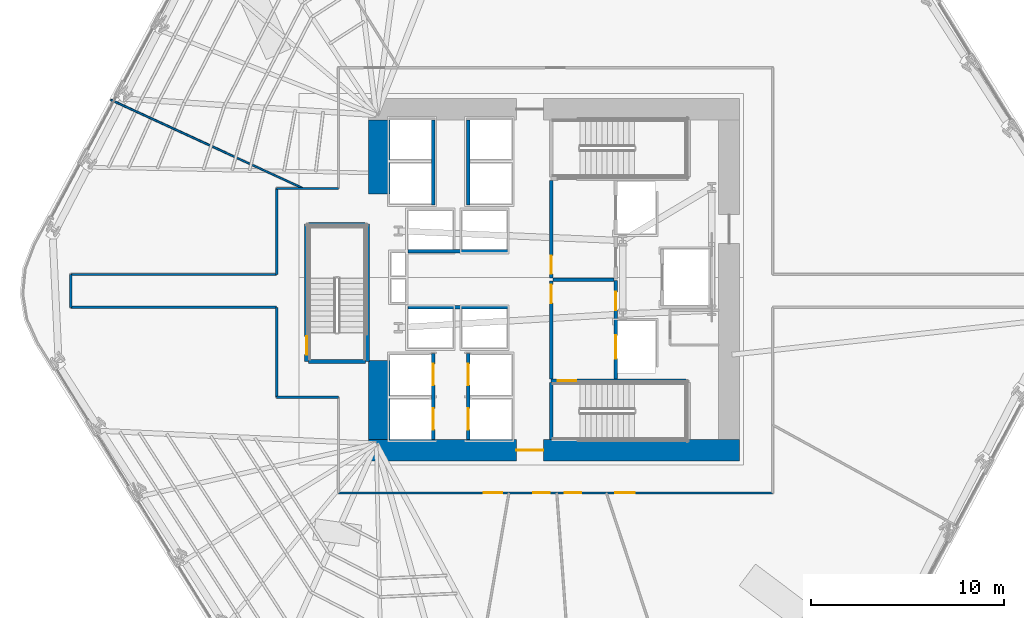
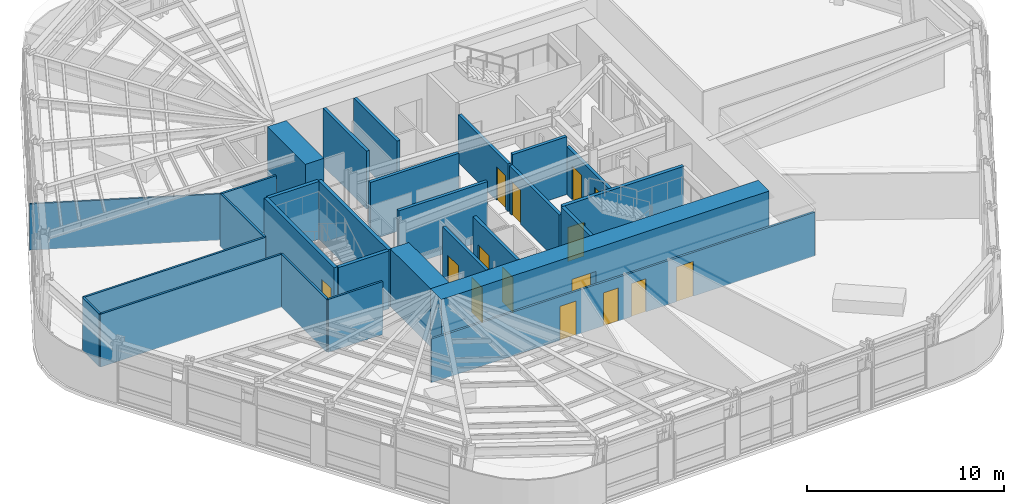
# One storey, part 8 of 15: 28 walls, 15 doors, 15 openings.
"""IFC4 building model written with IfcOpenShell, lengths in metres."""

from ifc_helpers import new_model, si_unit, direction, frame, frame_2d, origin, place, context, subcontext, project, spatial, rectangle, extrude, material, layer, layer_set, type_object, element, fill, save


model = new_model("IFC4")

# Units and contexts
model_context = context("Model", 3, precision=1e-05, world=origin(), true_north=direction((0.0, 1.0)))
body_context = subcontext(model_context, "Body", "Model", "MODEL_VIEW")
ifc_project = project(units=[si_unit("LENGTHUNIT", "METRE"), si_unit("AREAUNIT", "SQUARE_METRE"), si_unit("VOLUMEUNIT", "CUBIC_METRE"), si_unit("PLANEANGLEUNIT", "RADIAN"), si_unit("MASSUNIT", "GRAM", prefix="KILO")], contexts=[model_context])

# Site, building, storey
site_placement = place(None, origin())
site = spatial("IfcSite", under=ifc_project, at=site_placement, CompositionType="ELEMENT")
building_placement = place(site_placement, origin())
building = spatial("IfcBuilding", under=site, at=building_placement, Name="Valkerne Bourse Tower", CompositionType="ELEMENT")
storey_placement = place(building_placement, frame((0.0, 0.0, 31.60009765625)))
storey = spatial("IfcBuildingStorey", under=building, at=storey_placement, Name="L07", CompositionType="ELEMENT", Elevation=31.60009765625)

# Wall, opening, door
ifc_material_1 = material(Name="Concrete C70/85", Category="concrete")
ifc_layer_1 = layer(ifc_material_1, 1.10009765625)
ifc_layer_set_1 = layer_set([ifc_layer_1], Name="Concrete C70/85")
wall_type_1 = type_object("IfcWallType", Name="W-CORE-1100", PredefinedType="SHEAR", material=ifc_layer_set_1)
wall_1_placement = place(storey_placement, frame((37.199951171875, 18.050048828125, 0.0), z_axis=(0.0, 0.0, 1.0), x_axis=(1.0, 0.0, 0.0)))
wall_1 = element("IfcWall", 1, at=wall_1_placement, inside=storey, type_object=wall_type_1, Name="L07 Core Shear Wall SOUTH", PredefinedType="SHEAR", context=body_context, shape_type="SweptSolid", body=[
    extrude(rectangle(XDim=19.199951171875, YDim=1.10009765625, at=frame_2d((9.60009765625, 0.0))), origin(), (0.0, 0.0, 1.0), 3.579833984375),
])
opening_1_placement = place(wall_1_placement, frame((7.64990234375, 0.0, 0.0)))
opening_1 = element("IfcOpeningElement", 2, at=opening_1_placement, cuts=wall_1, Name="Opening D-PL-1400", PredefinedType="OPENING", context=body_context, shape_type="SweptSolid", body=[
    extrude(rectangle(XDim=1.39990234375, YDim=2.14990234375, at=frame_2d((0.699951171875, 1.074951171875))), frame((0.0, 0.56005859375, 0.0), z_axis=(0.0, -1.0, 0.0), x_axis=(1.0, 0.0, 0.0)), (0.0, 0.0, 1.0), 1.1201171875),
])
ifc_material_2 = material(Name="Galvanised Painted Steel", Category="steel")
door_type_1 = type_object("IfcDoorType", Name="DR-PLT-1400", OperationType="DOUBLE_DOOR_SINGLE_SWING", PredefinedType="DOOR", material=ifc_material_2)
door_1_placement = place(opening_1_placement, origin())
door_1 = element("IfcDoor", 3, at=door_1_placement, inside=storey, type_object=door_type_1, Name="L07 South Passenger Lift Hall Fire Door", OperationType="DOUBLE_DOOR_SINGLE_SWING", OverallHeight=2.14990234375, OverallWidth=1.39990234375, PredefinedType="DOOR", context=body_context, shape_type="SweptSolid", body=[
    extrude(rectangle(XDim=1.39990234375, YDim=2.14990234375, at=frame_2d((0.699951171875, 1.074951171875))), frame((0.0, 0.02490234375, 0.0), z_axis=(0.0, -1.0, 0.0), x_axis=(1.0, 0.0, 0.0)), (0.0, 0.0, 1.0), 0.050048828125),
])
fill(opening_1, door_1)

# Walls
wall_2_placement = place(storey_placement, frame((37.75, 18.60009765625, 0.0), z_axis=(0.0, 0.0, 1.0), x_axis=(0.0, 1.0, 0.0)))
element("IfcWall", 4, at=wall_2_placement, inside=storey, type_object=wall_type_1, Name="L07 Core Shear Wall WEST-S", PredefinedType="SHEAR", context=body_context, shape_type="SweptSolid", body=[
    extrude(rectangle(XDim=4.099853515625, YDim=1.10009765625, at=frame_2d((2.0498046875, 0.0))), origin(), (0.0, 0.0, 1.0), 3.579833984375),
])
wall_3_placement = place(storey_placement, frame((37.75, 31.300048828125, 0.0), z_axis=(0.0, 0.0, 1.0), x_axis=(0.0, 1.0, 0.0)))
element("IfcWall", 5, at=wall_3_placement, inside=storey, type_object=wall_type_1, Name="L07 Core Shear Wall WEST-N", PredefinedType="SHEAR", context=body_context, shape_type="SweptSolid", body=[
    extrude(rectangle(XDim=3.849853515625, YDim=1.10009765625, at=frame_2d((1.9248046875, 0.0))), origin(), (0.0, 0.0, 1.0), 3.579833984375),
])

# Wall, openings, doors
ifc_material_3 = material(Name="Gypsum Board Steel-Stud Partition", Category="steel")
ifc_layer_2 = layer(ifc_material_3, 0.117919921875)
ifc_layer_set_2 = layer_set([ifc_layer_2], Name="Gypsum Board Steel-Stud Partition")
wall_type_2 = type_object("IfcWallType", Name="W-CORR-140", PredefinedType="PARTITIONING", material=ifc_layer_set_2)
wall_4_placement = place(storey_placement, frame((58.10009765625, 15.85009765625, 0.0), z_axis=(0.0, 0.0, 1.0), x_axis=(-1.0, 0.0, 0.0)))
wall_4 = element("IfcWall", 6, at=wall_4_placement, inside=storey, type_object=wall_type_2, Name="L07 Corridor Enclosure Wall", PredefinedType="PARTITIONING", context=body_context, shape_type="SweptSolid", body=[
    extrude(rectangle(XDim=22.4501953125, YDim=0.117919921875, at=frame_2d((11.22509765625, 0.0))), origin(), (0.0, 0.0, 1.0), 2.71142578125),
])
opening_2_placement = place(wall_4_placement, frame((11.514892578125, 0.0, 0.0)))
opening_2 = element("IfcOpeningElement", 7, at=opening_2_placement, cuts=wall_4, Name="Opening D-WC-900", PredefinedType="OPENING", context=body_context, shape_type="SweptSolid", body=[
    extrude(rectangle(XDim=0.860107421875, YDim=2.050048828125, at=frame_2d((0.43017578125, 1.02490234375))), frame((0.0, 0.06884765625, 0.0), z_axis=(0.0, -1.0, 0.0), x_axis=(1.0, 0.0, 0.0)), (0.0, 0.0, 1.0), 0.137939453125),
])
opening_3_placement = place(wall_4_placement, frame((9.89501953125, 0.0, 0.0)))
opening_3 = element("IfcOpeningElement", 8, at=opening_3_placement, cuts=wall_4, Name="Opening D-WC-900", PredefinedType="OPENING", context=body_context, shape_type="SweptSolid", body=[
    extrude(rectangle(XDim=0.860107421875, YDim=2.050048828125, at=frame_2d((0.43017578125, 1.02490234375))), frame((0.0, 0.06884765625, 0.0), z_axis=(0.0, -1.0, 0.0), x_axis=(1.0, 0.0, 0.0)), (0.0, 0.0, 1.0), 0.137939453125),
])
opening_4_placement = place(wall_4_placement, frame((7.125, 0.0, 0.0)))
opening_4 = element("IfcOpeningElement", 9, at=opening_4_placement, cuts=wall_4, Name="Opening D-MG-1000", PredefinedType="OPENING", context=body_context, shape_type="SweptSolid", body=[
    extrude(rectangle(XDim=1.0, YDim=2.14990234375, at=frame_2d((0.5, 1.074951171875))), frame((0.0, 0.06884765625, 0.0), z_axis=(0.0, -1.0, 0.0), x_axis=(1.0, 0.0, 0.0)), (0.0, 0.0, 1.0), 0.137939453125),
])
opening_5_placement = place(wall_4_placement, frame((13.989990234375, 0.0, 0.0)))
opening_5 = element("IfcOpeningElement", 10, at=opening_5_placement, cuts=wall_4, Name="Opening D-OF-950", PredefinedType="OPENING", context=body_context, shape_type="SweptSolid", body=[
    extrude(rectangle(XDim=0.949951171875, YDim=2.10009765625, at=frame_2d((0.47509765625, 1.050048828125))), frame((0.0, 0.06884765625, 0.0), z_axis=(0.0, -1.0, 0.0), x_axis=(1.0, 0.0, 0.0)), (0.0, 0.0, 1.0), 0.137939453125),
])
ifc_material_4 = material(Name="Laminated Tempered Safety Glass", Category="glass")
door_type_2 = type_object("IfcDoorType", Name="DR-MTG-1000", OperationType="NOTDEFINED", PredefinedType="DOOR", material=ifc_material_4)
door_2_placement = place(opening_4_placement, origin())
door_2 = element("IfcDoor", 11, at=door_2_placement, inside=storey, type_object=door_type_2, Name="L07 L07 Client Strategy Conference Room 4 Door", OperationType="SINGLE_SWING_RIGHT", OverallHeight=2.14990234375, OverallWidth=1.0, PredefinedType="DOOR", context=body_context, shape_type="SweptSolid", body=[
    extrude(rectangle(XDim=1.0, YDim=2.14990234375, at=frame_2d((0.5, 1.074951171875))), frame((0.0, 0.02490234375, 0.0), z_axis=(0.0, -1.0, 0.0), x_axis=(1.0, 0.0, 0.0)), (0.0, 0.0, 1.0), 0.050048828125),
])
fill(opening_4, door_2)
ifc_material_5 = material(Name="Architectural White Oak Timber", Category="wood")
door_type_3 = type_object("IfcDoorType", Name="DR-OFF-950", OperationType="NOTDEFINED", PredefinedType="DOOR", material=ifc_material_5)
door_3_placement = place(opening_5_placement, origin())
door_3 = element("IfcDoor", 12, at=door_3_placement, inside=storey, type_object=door_type_3, Name="L07 L07 Member Collaboration Club Salon 5 Door", OperationType="SINGLE_SWING_RIGHT", OverallHeight=2.10009765625, OverallWidth=0.949951171875, PredefinedType="DOOR", context=body_context, shape_type="SweptSolid", body=[
    extrude(rectangle(XDim=0.949951171875, YDim=2.10009765625, at=frame_2d((0.47509765625, 1.050048828125))), frame((0.0, 0.02490234375, 0.0), z_axis=(0.0, -1.0, 0.0), x_axis=(1.0, 0.0, 0.0)), (0.0, 0.0, 1.0), 0.050048828125),
])
fill(opening_5, door_3)
door_type_4 = type_object("IfcDoorType", Name="DR-WC-900", OperationType="NOTDEFINED", PredefinedType="DOOR", material=ifc_material_5)
door_4_placement = place(opening_2_placement, origin())
door_4 = element("IfcDoor", 13, at=door_4_placement, inside=storey, type_object=door_type_4, Name="L07 L07 Men Bathroom WC 1 Door", OperationType="SINGLE_SWING_LEFT", OverallHeight=2.050048828125, OverallWidth=0.860107421875, PredefinedType="DOOR", context=body_context, shape_type="SweptSolid", body=[
    extrude(rectangle(XDim=0.860107421875, YDim=2.050048828125, at=frame_2d((0.43017578125, 1.02490234375))), frame((0.0, 0.02490234375, 0.0), z_axis=(0.0, -1.0, 0.0), x_axis=(1.0, 0.0, 0.0)), (0.0, 0.0, 1.0), 0.050048828125),
])
fill(opening_2, door_4)
door_5_placement = place(opening_3_placement, origin())
door_5 = element("IfcDoor", 14, at=door_5_placement, inside=storey, type_object=door_type_4, Name="L07 L07 Women Restroom & Shower WC 2 Door", OperationType="SINGLE_SWING_LEFT", OverallHeight=2.050048828125, OverallWidth=0.860107421875, PredefinedType="DOOR", context=body_context, shape_type="SweptSolid", body=[
    extrude(rectangle(XDim=0.860107421875, YDim=2.050048828125, at=frame_2d((0.43017578125, 1.02490234375))), frame((0.0, 0.02490234375, 0.0), z_axis=(0.0, -1.0, 0.0), x_axis=(1.0, 0.0, 0.0)), (0.0, 0.0, 1.0), 0.050048828125),
])
fill(opening_3, door_5)

# Walls
wall_5_placement = place(storey_placement, frame((35.64990234375, 20.800048828125, 0.0), z_axis=(0.0, 0.0, 1.0), x_axis=(-1.0, 0.0, 0.0)))
element("IfcWall", 15, at=wall_5_placement, inside=storey, type_object=wall_type_2, Name="L07 Corridor Enclosure Wall", PredefinedType="PARTITIONING", context=body_context, shape_type="SweptSolid", body=[
    extrude(rectangle(XDim=3.199951171875, YDim=0.117919921875, at=frame_2d((1.60009765625, 0.0))), origin(), (0.0, 0.0, 1.0), 3.27978515625),
])
wall_6_placement = place(storey_placement, frame((32.449951171875, 20.800048828125, 0.0), z_axis=(0.0, 0.0, 1.0), x_axis=(0.0, 1.0, 0.0)))
element("IfcWall", 16, at=wall_6_placement, inside=storey, type_object=wall_type_2, Name="L07 Corridor Enclosure Wall", PredefinedType="PARTITIONING", context=body_context, shape_type="SweptSolid", body=[
    extrude(rectangle(XDim=4.64990234375, YDim=0.117919921875, at=frame_2d((2.324951171875, 0.0))), origin(), (0.0, 0.0, 1.0), 3.27978515625),
])
wall_7_placement = place(storey_placement, frame((32.449951171875, 25.449951171875, 0.0), z_axis=(0.0, 0.0, 1.0), x_axis=(-1.0, 0.0, 0.0)))
element("IfcWall", 17, at=wall_7_placement, inside=storey, type_object=wall_type_2, Name="L07 Corridor Enclosure Wall", PredefinedType="PARTITIONING", context=body_context, shape_type="SweptSolid", body=[
    extrude(rectangle(XDim=10.64990234375, YDim=0.117919921875, at=frame_2d((5.324951171875, 0.0))), origin(), (0.0, 0.0, 1.0), 3.27978515625),
])
wall_8_placement = place(storey_placement, frame((21.800048828125, 25.449951171875, 0.0), z_axis=(0.0, 0.0, 1.0), x_axis=(0.0, 1.0, 0.0)))
element("IfcWall", 18, at=wall_8_placement, inside=storey, type_object=wall_type_2, Name="L07 Corridor Enclosure Wall", PredefinedType="PARTITIONING", context=body_context, shape_type="SweptSolid", body=[
    extrude(rectangle(XDim=1.699951171875, YDim=0.117919921875, at=frame_2d((0.85009765625, 0.0))), origin(), (0.0, 0.0, 1.0), 3.27978515625),
])
wall_9_placement = place(storey_placement, frame((21.800048828125, 27.14990234375, 0.0), z_axis=(0.0, 0.0, 1.0), x_axis=(1.0, 0.0, 0.0)))
element("IfcWall", 19, at=wall_9_placement, inside=storey, type_object=wall_type_2, Name="L07 Corridor Enclosure Wall", PredefinedType="PARTITIONING", context=body_context, shape_type="SweptSolid", body=[
    extrude(rectangle(XDim=10.64990234375, YDim=0.117919921875, at=frame_2d((5.324951171875, 0.0))), origin(), (0.0, 0.0, 1.0), 3.27978515625),
])
wall_10_placement = place(storey_placement, frame((32.449951171875, 27.14990234375, 0.0), z_axis=(0.0, 0.0, 1.0), x_axis=(0.0, 1.0, 0.0)))
element("IfcWall", 20, at=wall_10_placement, inside=storey, type_object=wall_type_2, Name="L07 Corridor Enclosure Wall", PredefinedType="PARTITIONING", context=body_context, shape_type="SweptSolid", body=[
    extrude(rectangle(XDim=4.4501953125, YDim=0.117919921875, at=frame_2d((2.22509765625, 0.0))), origin(), (0.0, 0.0, 1.0), 3.27978515625),
])
wall_11_placement = place(storey_placement, frame((32.449951171875, 31.60009765625, 0.0), z_axis=(0.0, 0.0, 1.0), x_axis=(1.0, 0.0, 0.0)))
element("IfcWall", 21, at=wall_11_placement, inside=storey, type_object=wall_type_2, Name="L07 Corridor Enclosure Wall", PredefinedType="PARTITIONING", context=body_context, shape_type="SweptSolid", body=[
    extrude(rectangle(XDim=3.199951171875, YDim=0.117919921875, at=frame_2d((1.60009765625, 0.0))), origin(), (0.0, 0.0, 1.0), 3.27978515625),
])
ifc_material_6 = material(Name="Gypsum Fire-Rated Shaftwall", Category="gypsum")
ifc_layer_3 = layer(ifc_material_6, 0.179931640625)
ifc_layer_set_3 = layer_set([ifc_layer_3], Name="Gypsum Fire-Rated Shaftwall")
wall_type_3 = type_object("IfcWallType", Name="W-FSAE-180", PredefinedType="PARTITIONING", material=ifc_layer_set_3)
wall_12_placement = place(storey_placement, frame((46.739990234375, 26.8798828125, 0.0), z_axis=(0.0, 0.0, 1.0), x_axis=(1.0, 0.0, 0.0)))
element("IfcWall", 22, at=wall_12_placement, inside=storey, type_object=wall_type_3, Name="L07 FSAE-1/2 Lobby Dividing Fire Wall", PredefinedType="PARTITIONING", context=body_context, shape_type="SweptSolid", body=[
    extrude(rectangle(XDim=3.169921875, YDim=0.179931640625, at=frame_2d((1.5849609375, 0.0))), origin(), (0.0, 0.0, 1.0), 3.579833984375),
])

# Wall, opening, door
wall_13_placement = place(storey_placement, frame((46.64990234375, 21.75, 0.0), z_axis=(0.0, 0.0, 1.0), x_axis=(0.0, 1.0, 0.0)))
wall_13 = element("IfcWall", 23, at=wall_13_placement, inside=storey, type_object=wall_type_3, Name="L07 FSAE-1 Lobby West Fire Wall", PredefinedType="PARTITIONING", context=body_context, shape_type="SweptSolid", body=[
    extrude(rectangle(XDim=5.050048828125, YDim=0.179931640625, at=frame_2d((2.52490234375, 0.0))), origin(), (0.0, 0.0, 1.0), 2.9580078125),
])
opening_6_placement = place(wall_13_placement, frame((3.919921875, 0.0, 0.0)))
opening_6 = element("IfcOpeningElement", 24, at=opening_6_placement, cuts=wall_13, Name="Opening D-FS-950", PredefinedType="OPENING", context=body_context, shape_type="SweptSolid", body=[
    extrude(rectangle(XDim=0.949951171875, YDim=2.10009765625, at=frame_2d((0.47509765625, 1.050048828125))), frame((0.0, 0.099853515625, 0.0), z_axis=(0.0, -1.0, 0.0), x_axis=(1.0, 0.0, 0.0)), (0.0, 0.0, 1.0), 0.199951171875),
])
door_type_5 = type_object("IfcDoorType", Name="DR-FSAE-950", OperationType="NOTDEFINED", PredefinedType="DOOR", material=ifc_material_2)
door_6_placement = place(opening_6_placement, origin())
door_6 = element("IfcDoor", 25, at=door_6_placement, inside=storey, type_object=door_type_5, Name="L07 FSAE-1 Hall Link Fire Door", OperationType="SINGLE_SWING_LEFT", OverallHeight=2.10009765625, OverallWidth=0.949951171875, PredefinedType="DOOR", context=body_context, shape_type="SweptSolid", body=[
    extrude(rectangle(XDim=0.949951171875, YDim=2.10009765625, at=frame_2d((0.47509765625, 1.050048828125))), frame((0.0, 0.02490234375, 0.0), z_axis=(0.0, -1.0, 0.0), x_axis=(1.0, 0.0, 0.0)), (0.0, 0.0, 1.0), 0.050048828125),
])
fill(opening_6, door_6)

wall_14_placement = place(storey_placement, frame((46.64990234375, 26.9599609375, 0.0), z_axis=(0.0, 0.0, 1.0), x_axis=(0.0, 1.0, 0.0)))
wall_14 = element("IfcWall", 26, at=wall_14_placement, inside=storey, type_object=wall_type_3, Name="L07 FSAE-2 Lobby West Fire Wall", PredefinedType="PARTITIONING", context=body_context, shape_type="SweptSolid", body=[
    extrude(rectangle(XDim=5.0400390625, YDim=0.179931640625, at=frame_2d((2.52001953125, 0.0))), origin(), (0.0, 0.0, 1.0), 2.9580078125),
])
opening_7_placement = place(wall_14_placement, frame((0.219970703125, 0.0, 0.0)))
opening_7 = element("IfcOpeningElement", 27, at=opening_7_placement, cuts=wall_14, Name="Opening D-FS-950", PredefinedType="OPENING", context=body_context, shape_type="SweptSolid", body=[
    extrude(rectangle(XDim=0.949951171875, YDim=2.10009765625, at=frame_2d((0.47509765625, 1.050048828125))), frame((0.0, 0.099853515625, 0.0), z_axis=(0.0, -1.0, 0.0), x_axis=(1.0, 0.0, 0.0)), (0.0, 0.0, 1.0), 0.199951171875),
])
door_7_placement = place(opening_7_placement, origin())
door_7 = element("IfcDoor", 28, at=door_7_placement, inside=storey, type_object=door_type_5, Name="L07 FSAE-2 Hall Link Fire Door", OperationType="SINGLE_SWING_LEFT", OverallHeight=2.10009765625, OverallWidth=0.949951171875, PredefinedType="DOOR", context=body_context, shape_type="SweptSolid", body=[
    extrude(rectangle(XDim=0.949951171875, YDim=2.10009765625, at=frame_2d((0.47509765625, 1.050048828125))), frame((0.0, 0.02490234375, 0.0), z_axis=(0.0, -1.0, 0.0), x_axis=(1.0, 0.0, 0.0)), (0.0, 0.0, 1.0), 0.050048828125),
])
fill(opening_7, door_7)

# Wall, openings, doors
wall_15_placement = place(storey_placement, frame((50.0, 21.75, 0.0), z_axis=(0.0, 0.0, 1.0), x_axis=(0.0, 1.0, 0.0)))
wall_15 = element("IfcWall", 29, at=wall_15_placement, inside=storey, type_object=wall_type_3, Name="L07 FSAE-1 Lobby & Shaft Front Wall", PredefinedType="PARTITIONING", context=body_context, shape_type="SweptSolid", body=[
    extrude(rectangle(XDim=5.090087890625, YDim=0.179931640625, at=frame_2d((2.544921875, 0.0))), origin(), (0.0, 0.0, 1.0), 2.9580078125),
])
opening_8_placement = place(wall_15_placement, frame((1.050048828125, 0.0, 0.0)))
opening_8 = element("IfcOpeningElement", 30, at=opening_8_placement, cuts=wall_15, Name="Opening LD-1200", PredefinedType="OPENING", context=body_context, shape_type="SweptSolid", body=[
    extrude(rectangle(XDim=1.199951171875, YDim=2.14990234375, at=frame_2d((0.60009765625, 1.074951171875))), frame((0.0, 0.099853515625, 0.0), z_axis=(0.0, -1.0, 0.0), x_axis=(1.0, 0.0, 0.0)), (0.0, 0.0, 1.0), 0.199951171875),
])
opening_9_placement = place(wall_15_placement, frame((3.550048828125, 0.0, 0.0)))
opening_9 = element("IfcOpeningElement", 31, at=opening_9_placement, cuts=wall_15, Name="Opening D-FS-950", PredefinedType="OPENING", context=body_context, shape_type="SweptSolid", body=[
    extrude(rectangle(XDim=0.949951171875, YDim=2.10009765625, at=frame_2d((0.47509765625, 1.050048828125))), frame((0.0, 0.099853515625, 0.0), z_axis=(0.0, -1.0, 0.0), x_axis=(1.0, 0.0, 0.0)), (0.0, 0.0, 1.0), 0.199951171875),
])
door_8_placement = place(opening_9_placement, origin())
door_8 = element("IfcDoor", 32, at=door_8_placement, inside=storey, type_object=door_type_5, Name="L07 FSAE-1 Lobby Corridor Fire Door", OperationType="SINGLE_SWING_LEFT", OverallHeight=2.10009765625, OverallWidth=0.949951171875, PredefinedType="DOOR", context=body_context, shape_type="SweptSolid", body=[
    extrude(rectangle(XDim=0.949951171875, YDim=2.10009765625, at=frame_2d((0.47509765625, 1.050048828125))), frame((0.0, 0.02490234375, 0.0), z_axis=(0.0, -1.0, 0.0), x_axis=(1.0, 0.0, 0.0)), (0.0, 0.0, 1.0), 0.050048828125),
])
fill(opening_9, door_8)
ifc_material_7 = material(Name="Stainless Steel AISI 316", Category="steel")
door_type_6 = type_object("IfcDoorType", Name="DR-LIFT-1200", OperationType="DOUBLE_DOOR_SLIDING", PredefinedType="DOOR", material=ifc_material_7)
door_9_placement = place(opening_8_placement, origin())
door_9 = element("IfcDoor", 33, at=door_9_placement, inside=storey, type_object=door_type_6, Name="L07 FSAE-1 Firefighting Lift Landing Door", OperationType="DOUBLE_DOOR_SLIDING", OverallHeight=2.14990234375, OverallWidth=1.199951171875, PredefinedType="DOOR", context=body_context, shape_type="SweptSolid", body=[
    extrude(rectangle(XDim=1.199951171875, YDim=2.14990234375, at=frame_2d((0.60009765625, 1.074951171875))), frame((0.0, 0.02490234375, 0.0), z_axis=(0.0, -1.0, 0.0), x_axis=(1.0, 0.0, 0.0)), (0.0, 0.0, 1.0), 0.050048828125),
])
fill(opening_8, door_9)

ifc_material_8 = material(Name="CMU Blockwork Masonry 200mm", Category="masonry")
ifc_layer_4 = layer(ifc_material_8, 0.179931640625)
ifc_layer_set_4 = layer_set([ifc_layer_4], Name="CMU Blockwork Masonry 200mm")
wall_type_4 = type_object("IfcWallType", Name="W-LFT-180", PredefinedType="SOLIDWALL", material=ifc_layer_set_4)
wall_16_placement = place(storey_placement, frame((40.550048828125, 18.6201171875, 0.0), z_axis=(0.0, 0.0, 1.0), x_axis=(0.0, 1.0, 0.0)))
wall_16 = element("IfcWall", 34, at=wall_16_placement, inside=storey, type_object=wall_type_4, Name="L07 Low-Zone West Cars Front Wall", PredefinedType="SOLIDWALL", context=body_context, shape_type="SweptSolid", body=[
    extrude(rectangle(XDim=4.429931640625, YDim=0.179931640625, at=frame_2d((2.21484375, 0.0))), origin(), (0.0, 0.0, 1.0), 3.579833984375),
])
opening_10_placement = place(wall_16_placement, frame((0.5, 0.0, 0.0)))
opening_10 = element("IfcOpeningElement", 35, at=opening_10_placement, cuts=wall_16, Name="Opening LD-1100", PredefinedType="OPENING", context=body_context, shape_type="SweptSolid", body=[
    extrude(rectangle(XDim=1.10009765625, YDim=2.14990234375, at=frame_2d((0.550048828125, 1.074951171875))), frame((0.0, 0.099853515625, 0.0), z_axis=(0.0, -1.0, 0.0), x_axis=(1.0, 0.0, 0.0)), (0.0, 0.0, 1.0), 0.199951171875),
])
opening_11_placement = place(wall_16_placement, frame((2.800048828125, 0.0, 0.0)))
opening_11 = element("IfcOpeningElement", 36, at=opening_11_placement, cuts=wall_16, Name="Opening LD-1100", PredefinedType="OPENING", context=body_context, shape_type="SweptSolid", body=[
    extrude(rectangle(XDim=1.10009765625, YDim=2.14990234375, at=frame_2d((0.550048828125, 1.074951171875))), frame((0.0, 0.099853515625, 0.0), z_axis=(0.0, -1.0, 0.0), x_axis=(1.0, 0.0, 0.0)), (0.0, 0.0, 1.0), 0.199951171875),
])
door_type_7 = type_object("IfcDoorType", Name="DR-LIFT-1100", OperationType="DOUBLE_DOOR_SLIDING", PredefinedType="DOOR", material=ifc_material_7)
door_10_placement = place(opening_10_placement, origin())
door_10 = element("IfcDoor", 37, at=door_10_placement, inside=storey, type_object=door_type_7, Name="L07 Passenger Lift PL-L1 Sliding Landing Door", OperationType="DOUBLE_DOOR_SLIDING", OverallHeight=2.14990234375, OverallWidth=1.10009765625, PredefinedType="DOOR", context=body_context, shape_type="SweptSolid", body=[
    extrude(rectangle(XDim=1.10009765625, YDim=2.14990234375, at=frame_2d((0.550048828125, 1.074951171875))), frame((0.0, 0.02490234375, 0.0), z_axis=(0.0, -1.0, 0.0), x_axis=(1.0, 0.0, 0.0)), (0.0, 0.0, 1.0), 0.050048828125),
])
fill(opening_10, door_10)
door_11_placement = place(opening_11_placement, origin())
door_11 = element("IfcDoor", 38, at=door_11_placement, inside=storey, type_object=door_type_7, Name="L07 Passenger Lift PL-L2 Sliding Landing Door", OperationType="DOUBLE_DOOR_SLIDING", OverallHeight=2.14990234375, OverallWidth=1.10009765625, PredefinedType="DOOR", context=body_context, shape_type="SweptSolid", body=[
    extrude(rectangle(XDim=1.10009765625, YDim=2.14990234375, at=frame_2d((0.550048828125, 1.074951171875))), frame((0.0, 0.02490234375, 0.0), z_axis=(0.0, -1.0, 0.0), x_axis=(1.0, 0.0, 0.0)), (0.0, 0.0, 1.0), 0.050048828125),
])
fill(opening_11, door_11)

wall_17_placement = place(storey_placement, frame((42.35009765625, 18.6201171875, 0.0), z_axis=(0.0, 0.0, 1.0), x_axis=(0.0, 1.0, 0.0)))
wall_17 = element("IfcWall", 39, at=wall_17_placement, inside=storey, type_object=wall_type_4, Name="L07 Low-Zone East Cars Front Wall", PredefinedType="SOLIDWALL", context=body_context, shape_type="SweptSolid", body=[
    extrude(rectangle(XDim=4.429931640625, YDim=0.179931640625, at=frame_2d((2.21484375, 0.0))), origin(), (0.0, 0.0, 1.0), 3.579833984375),
])
opening_12_placement = place(wall_17_placement, frame((0.5, 0.0, 0.0)))
opening_12 = element("IfcOpeningElement", 40, at=opening_12_placement, cuts=wall_17, Name="Opening LD-1100", PredefinedType="OPENING", context=body_context, shape_type="SweptSolid", body=[
    extrude(rectangle(XDim=1.10009765625, YDim=2.14990234375, at=frame_2d((0.550048828125, 1.074951171875))), frame((0.0, 0.099853515625, 0.0), z_axis=(0.0, -1.0, 0.0), x_axis=(1.0, 0.0, 0.0)), (0.0, 0.0, 1.0), 0.199951171875),
])
opening_13_placement = place(wall_17_placement, frame((2.800048828125, 0.0, 0.0)))
opening_13 = element("IfcOpeningElement", 41, at=opening_13_placement, cuts=wall_17, Name="Opening LD-1100", PredefinedType="OPENING", context=body_context, shape_type="SweptSolid", body=[
    extrude(rectangle(XDim=1.10009765625, YDim=2.14990234375, at=frame_2d((0.550048828125, 1.074951171875))), frame((0.0, 0.099853515625, 0.0), z_axis=(0.0, -1.0, 0.0), x_axis=(1.0, 0.0, 0.0)), (0.0, 0.0, 1.0), 0.199951171875),
])
door_12_placement = place(opening_12_placement, origin())
door_12 = element("IfcDoor", 42, at=door_12_placement, inside=storey, type_object=door_type_7, Name="L07 Passenger Lift PL-L3 Sliding Landing Door", OperationType="DOUBLE_DOOR_SLIDING", OverallHeight=2.14990234375, OverallWidth=1.10009765625, PredefinedType="DOOR", context=body_context, shape_type="SweptSolid", body=[
    extrude(rectangle(XDim=1.10009765625, YDim=2.14990234375, at=frame_2d((0.550048828125, 1.074951171875))), frame((0.0, 0.02490234375, 0.0), z_axis=(0.0, -1.0, 0.0), x_axis=(1.0, 0.0, 0.0)), (0.0, 0.0, 1.0), 0.050048828125),
])
fill(opening_12, door_12)
door_13_placement = place(opening_13_placement, origin())
door_13 = element("IfcDoor", 43, at=door_13_placement, inside=storey, type_object=door_type_7, Name="L07 Passenger Lift PL-L4 Sliding Landing Door", OperationType="DOUBLE_DOOR_SLIDING", OverallHeight=2.14990234375, OverallWidth=1.10009765625, PredefinedType="DOOR", context=body_context, shape_type="SweptSolid", body=[
    extrude(rectangle(XDim=1.10009765625, YDim=2.14990234375, at=frame_2d((0.550048828125, 1.074951171875))), frame((0.0, 0.02490234375, 0.0), z_axis=(0.0, -1.0, 0.0), x_axis=(1.0, 0.0, 0.0)), (0.0, 0.0, 1.0), 0.050048828125),
])
fill(opening_13, door_13)

# Walls
for number, where, z_axis, x_axis, name in (
    (44, (40.550048828125, 30.75, 0.0), (0.0, 0.0, 1.0), (0.0, 1.0, 0.0), "L07 Mid-Zone West Cars Front Wall"),
    (45, (42.35009765625, 30.75, 0.0), (0.0, 0.0, 1.0), (0.0, 1.0, 0.0), "L07 Mid-Zone East Cars Front Wall"),
):
    element("IfcWall", number, at=place(storey_placement, frame(where, z_axis=z_axis, x_axis=x_axis)), inside=storey, type_object=wall_type_4, Name=name, PredefinedType="SOLIDWALL", context=body_context, shape_type="SweptSolid", body=[
        extrude(rectangle(XDim=4.39990234375, YDim=0.179931640625, at=frame_2d((2.199951171875, 0.0))), origin(), (0.0, 0.0, 1.0), 3.579833984375),
    ])
for number, where, z_axis, x_axis, name in (
    (46, (39.25, 25.449951171875, 0.0), (0.0, 0.0, 1.0), (1.0, 0.0, 0.0), "L07 High-Zone South Cars Front Wall"),
    (47, (39.25, 28.35009765625, 0.0), (0.0, 0.0, 1.0), (1.0, 0.0, 0.0), "L07 High-Zone North Cars Front Wall"),
):
    element("IfcWall", number, at=place(storey_placement, frame(where, z_axis=z_axis, x_axis=x_axis)), inside=storey, type_object=wall_type_4, Name=name, PredefinedType="SOLIDWALL", context=body_context, shape_type="SweptSolid", body=[
        extrude(rectangle(XDim=5.199951171875, YDim=0.179931640625, at=frame_2d((2.60009765625, 0.0))), origin(), (0.0, 0.0, 1.0), 3.579833984375),
    ])
ifc_layer_5 = layer(ifc_material_3, 0.092041015625)
ifc_layer_set_5 = layer_set([ifc_layer_5], Name="Gypsum Board Steel-Stud Partition")
wall_type_5 = type_object("IfcWallType", Name="W-PART-115", PredefinedType="PARTITIONING", material=ifc_layer_set_5)
wall_18_placement = place(storey_placement, frame((33.81201171875, 31.60498046875, 0.0), z_axis=(0.0, 0.0, 1.0), x_axis=(-0.908314774859, 0.418287305297, 0.0)))
element("IfcWall", 48, at=wall_18_placement, inside=storey, type_object=wall_type_5, Name="L07 Suite Partition P06", PredefinedType="PARTITIONING", context=body_context, shape_type="SweptSolid", body=[
    extrude(rectangle(XDim=10.94775390625, YDim=0.092041015625, at=frame_2d((5.473876953125, 0.0))), origin(), (0.0, 0.0, 1.0), 2.86376953125),
])

# Wall, opening, door
ifc_material_9 = material(Name="Concrete C40/50", Category="concrete")
ifc_layer_6 = layer(ifc_material_9, 0.199951171875)
ifc_layer_set_6 = layer_set([ifc_layer_6], Name="Concrete C40/50")
wall_type_6 = type_object("IfcWallType", Name="W-SHF-200", PredefinedType="SHEAR", material=ifc_layer_set_6)
wall_19_placement = place(storey_placement, frame((46.64990234375, 21.64990234375, 0.0), z_axis=(0.0, 0.0, 1.0), x_axis=(1.0, 0.0, 0.0)))
wall_19 = element("IfcWall", 49, at=wall_19_placement, inside=storey, type_object=wall_type_6, Name="L07 Exit Stair ST-1 Structural Shaft Wall North", PredefinedType="SHEAR", context=body_context, shape_type="SweptSolid", body=[
    extrude(rectangle(XDim=7.10009765625, YDim=0.199951171875, at=frame_2d((3.550048828125, 0.0))), origin(), (0.0, 0.0, 1.0), 3.579833984375),
])
opening_14_placement = place(wall_19_placement, frame((0.35009765625, 0.0, 0.0)))
opening_14 = element("IfcOpeningElement", 50, at=opening_14_placement, cuts=wall_19, Name="Opening D-ST-950", PredefinedType="OPENING", context=body_context, shape_type="SweptSolid", body=[
    extrude(rectangle(XDim=0.949951171875, YDim=2.10009765625, at=frame_2d((0.47509765625, 1.050048828125))), frame((0.0, 0.10986328125, 0.0), z_axis=(0.0, -1.0, 0.0), x_axis=(1.0, 0.0, 0.0)), (0.0, 0.0, 1.0), 0.219970703125),
])
door_type_8 = type_object("IfcDoorType", Name="DR-STAIR-950", OperationType="NOTDEFINED", PredefinedType="DOOR", material=ifc_material_2)
door_14_placement = place(opening_14_placement, origin())
door_14 = element("IfcDoor", 51, at=door_14_placement, inside=storey, type_object=door_type_8, Name="L07 Exit Stair ST-1 Door", OperationType="SINGLE_SWING_RIGHT", OverallHeight=2.10009765625, OverallWidth=0.949951171875, PredefinedType="DOOR", context=body_context, shape_type="SweptSolid", body=[
    extrude(rectangle(XDim=0.949951171875, YDim=2.10009765625, at=frame_2d((0.47509765625, 1.050048828125))), frame((0.0, 0.02490234375, 0.0), z_axis=(0.0, -1.0, 0.0), x_axis=(1.0, 0.0, 0.0)), (0.0, 0.0, 1.0), 0.050048828125),
])
fill(opening_14, door_14)

# Wall
wall_20_placement = place(storey_placement, frame((46.64990234375, 18.60009765625, 0.0), z_axis=(0.0, 0.0, 1.0), x_axis=(0.0, 1.0, 0.0)))
element("IfcWall", 52, at=wall_20_placement, inside=storey, type_object=wall_type_6, Name="L07 Exit Stair ST-1 Structural Shaft Wall West", PredefinedType="SHEAR", context=body_context, shape_type="SweptSolid", body=[
    extrude(rectangle(XDim=2.949951171875, YDim=0.199951171875, at=frame_2d((1.47509765625, 0.0))), origin(), (0.0, 0.0, 1.0), 3.579833984375),
])

# Wall, opening, door
wall_21_placement = place(storey_placement, frame((34.0, 22.64990234375, 0.0), z_axis=(0.0, 0.0, 1.0), x_axis=(0.0, 1.0, 0.0)))
wall_21 = element("IfcWall", 53, at=wall_21_placement, inside=storey, type_object=wall_type_6, Name="L07 Exit Stair ST-3 Structural Shaft Wall West", PredefinedType="SHEAR", context=body_context, shape_type="SweptSolid", body=[
    extrude(rectangle(XDim=7.10009765625, YDim=0.199951171875, at=frame_2d((3.550048828125, 0.0))), origin(), (0.0, 0.0, 1.0), 3.579833984375),
])
opening_15_placement = place(wall_21_placement, frame((0.35009765625, 0.0, 0.0)))
opening_15 = element("IfcOpeningElement", 54, at=opening_15_placement, cuts=wall_21, Name="Opening D-ST-950", PredefinedType="OPENING", context=body_context, shape_type="SweptSolid", body=[
    extrude(rectangle(XDim=0.949951171875, YDim=2.10009765625, at=frame_2d((0.47509765625, 1.050048828125))), frame((0.0, 0.10986328125, 0.0), z_axis=(0.0, -1.0, 0.0), x_axis=(1.0, 0.0, 0.0)), (0.0, 0.0, 1.0), 0.219970703125),
])
door_15_placement = place(opening_15_placement, origin())
door_15 = element("IfcDoor", 55, at=door_15_placement, inside=storey, type_object=door_type_8, Name="L07 Exit Stair ST-3 Door", OperationType="SINGLE_SWING_RIGHT", OverallHeight=2.10009765625, OverallWidth=0.949951171875, PredefinedType="DOOR", context=body_context, shape_type="SweptSolid", body=[
    extrude(rectangle(XDim=0.949951171875, YDim=2.10009765625, at=frame_2d((0.47509765625, 1.050048828125))), frame((0.0, 0.02490234375, 0.0), z_axis=(0.0, -1.0, 0.0), x_axis=(1.0, 0.0, 0.0)), (0.0, 0.0, 1.0), 0.050048828125),
])
fill(opening_15, door_15)

# Walls
for number, where, z_axis, x_axis, name in (
    (56, (34.10009765625, 22.64990234375, 0.0), (0.0, 0.0, 1.0), (1.0, 0.0, 0.0), "L07 Exit Stair ST-3 Structural Shaft Wall South"),
    (57, (34.10009765625, 29.75, 0.0), (0.0, 0.0, 1.0), (1.0, 0.0, 0.0), "L07 Exit Stair ST-3 Structural Shaft Wall North"),
):
    element("IfcWall", number, at=place(storey_placement, frame(where, z_axis=z_axis, x_axis=x_axis)), inside=storey, type_object=wall_type_6, Name=name, PredefinedType="SHEAR", context=body_context, shape_type="SweptSolid", body=[
        extrude(rectangle(XDim=2.949951171875, YDim=0.199951171875, at=frame_2d((1.47509765625, 0.0))), origin(), (0.0, 0.0, 1.0), 3.579833984375),
    ])
wall_22_placement = place(storey_placement, frame((37.14990234375, 22.64990234375, 0.0), z_axis=(0.0, 0.0, 1.0), x_axis=(0.0, 1.0, 0.0)))
element("IfcWall", 58, at=wall_22_placement, inside=storey, type_object=wall_type_6, Name="L07 Exit Stair ST-3 Structural Shaft Wall East", PredefinedType="SHEAR", context=body_context, shape_type="SweptSolid", body=[
    extrude(rectangle(XDim=7.10009765625, YDim=0.199951171875, at=frame_2d((3.550048828125, 0.0))), origin(), (0.0, 0.0, 1.0), 3.579833984375),
])

save(model, "model.ifc")
